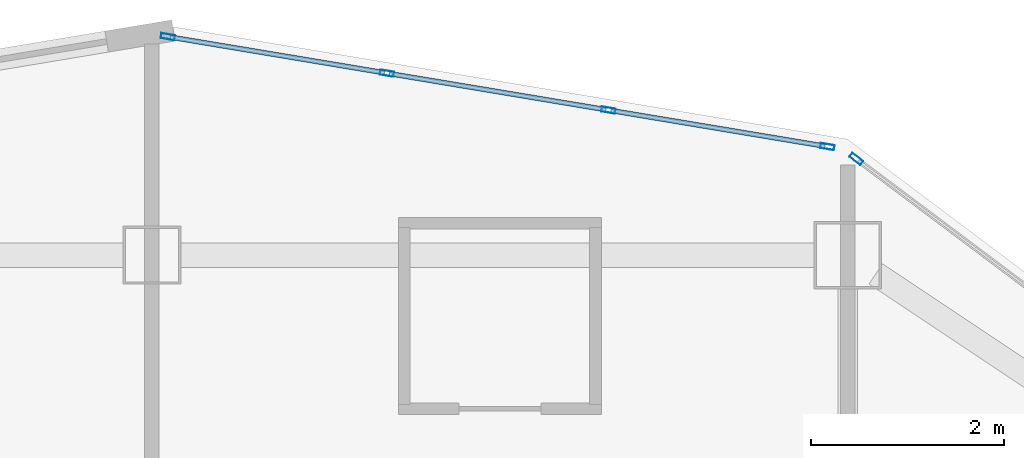
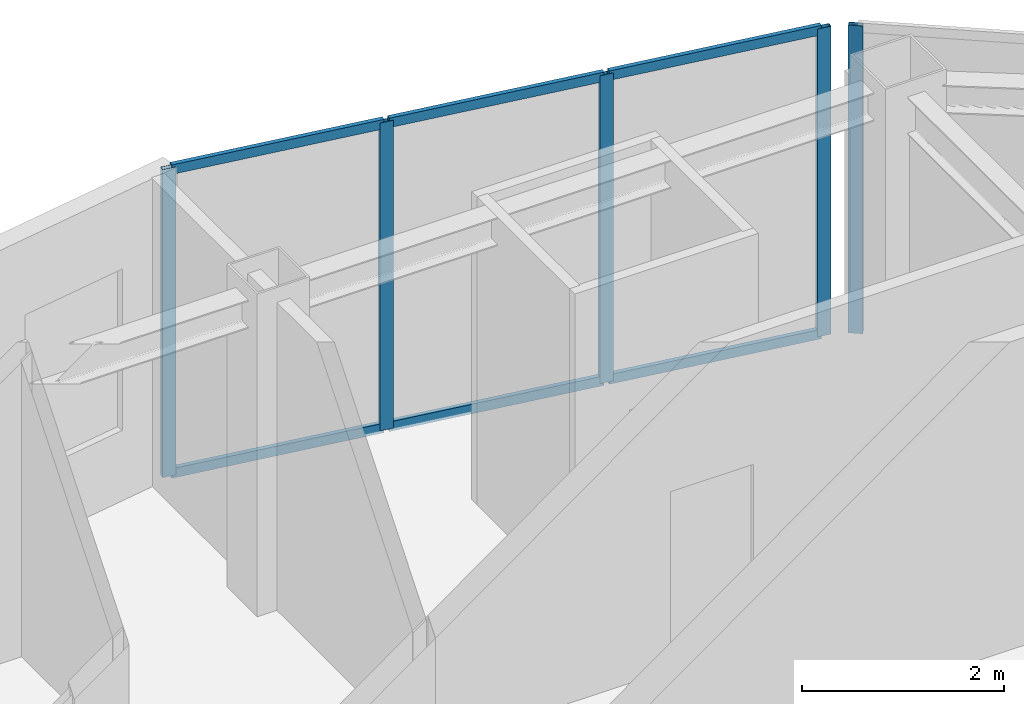
# One storey, part 3 of 8: 11 members, 2 elements without a shape of their own.
"""IFC4 building model written with IfcOpenShell, lengths in metres."""

import ifcopenshell
import ifcopenshell.guid

model = None  # the IFC model being written
_history = None  # IfcOwnerHistory: only IFC2X3 demands one
_inside = {}  # id of a spatial element -> (the spatial element, [elements in it])
_under = {}  # id of a project, library or spatial element -> (it, [spatial elements below it])
_declared = {}  # id of a project -> (the project, [libraries it declares])
_typed = {}  # id of a type object -> (the type object, [elements of that type])
_made_of = {}  # id of a material, layer set ... -> (it, [elements and type objects made of it])


def new_model(schema):
    """Start an empty IFC model of exactly this schema.

    Asked for "IFC4X3", IfcOpenShell would pick the latest addendum, in which some entities
    have other attributes; the version numbers below select the first issue.
    IFC2X3 requires an IfcOwnerHistory on every rooted entity: one is made here for all.
    """
    global model, _history
    if schema == "IFC4X3":
        model = ifcopenshell.file(schema_version=(4, 3, 0, 0))
    else:
        model = ifcopenshell.file(schema=schema)
    _inside.clear()
    _under.clear()
    _declared.clear()
    _typed.clear()
    _made_of.clear()
    _history = None
    if model.schema == "IFC2X3":
        org = make("IfcOrganization", Name="unknown")
        user = make(
            "IfcPersonAndOrganization",
            ThePerson=make("IfcPerson", FamilyName="unknown"),
            TheOrganization=org,
        )
        app = make(
            "IfcApplication",
            ApplicationDeveloper=org,
            Version="unknown",
            ApplicationFullName="unknown",
            ApplicationIdentifier="unknown",
        )
        _history = make(
            "IfcOwnerHistory",
            OwningUser=user,
            OwningApplication=app,
            ChangeAction="ADDED",
            CreationDate=0,
        )
    return model


def make(cls, **values):
    """One entity of the class cls with the attributes given. An attribute that is None is left unset."""
    return model.create_entity(
        cls, **{name: value for name, value in values.items() if value is not None}
    )


def rooted(cls, **values):
    """An entity with a GlobalId (a new one), such as an element, a storey or a relation."""
    return make(cls, GlobalId=ifcopenshell.guid.new(), OwnerHistory=_history, **values)


def si_unit(unit_type, name, prefix=None):
    """IfcSIUnit, for example si_unit("LENGTHUNIT", "METRE", prefix="MILLI")."""
    return make("IfcSIUnit", UnitType=unit_type, Prefix=prefix, Name=name)


def assignment(units):
    """IfcUnitAssignment: the units of a project."""
    return None if units is None else make("IfcUnitAssignment", Units=units)


def point(xyz):
    """IfcCartesianPoint."""
    return None if xyz is None else make("IfcCartesianPoint", Coordinates=xyz)


def direction(xyz):
    """IfcDirection."""
    return None if xyz is None else make("IfcDirection", DirectionRatios=xyz)


def frame(location, z_axis=None, x_axis=None):
    """IfcAxis2Placement3D, a coordinate frame: its origin and axes. An axis left out is left unset."""
    return make(
        "IfcAxis2Placement3D",
        Location=point(location),
        Axis=direction(z_axis),
        RefDirection=direction(x_axis),
    )


def frame_2d(location, x_axis=None):
    """IfcAxis2Placement2D, a coordinate frame in the plane: its origin and x axis."""
    return make(
        "IfcAxis2Placement2D", Location=point(location), RefDirection=direction(x_axis)
    )


def origin():
    """The frame at (0, 0, 0) with its axes left unset."""
    return frame((0.0, 0.0, 0.0))


def origin_2d():
    """The frame at (0, 0) in the plane with its x axis left unset."""
    return frame_2d((0.0, 0.0))


def place(relative_to, where):
    """IfcLocalPlacement: puts the frame where relative to a parent placement (None: the world)."""
    return make(
        "IfcLocalPlacement", PlacementRelTo=relative_to, RelativePlacement=where
    )


def context(
    kind, dimensions, precision=None, world=None, true_north=None, identifier=None
):
    """IfcGeometricRepresentationContext, for example the 3D "Model" context."""
    return make(
        "IfcGeometricRepresentationContext",
        ContextIdentifier=identifier,
        ContextType=kind,
        CoordinateSpaceDimension=dimensions,
        Precision=precision,
        WorldCoordinateSystem=world,
        TrueNorth=true_north,
    )


def subcontext(parent, identifier, kind, view, scale=None):
    """IfcGeometricRepresentationSubContext, for example "Body" below "Model"."""
    return make(
        "IfcGeometricRepresentationSubContext",
        ContextIdentifier=identifier,
        ContextType=kind,
        ParentContext=parent,
        TargetScale=scale,
        TargetView=view,
    )


def project(units=None, contexts=None):
    """IfcProject with its units and contexts."""
    return rooted(
        "IfcProject",
        Name="project",
        RepresentationContexts=contexts,
        UnitsInContext=assignment(units),
    )


def spatial(cls, under=None, at=None, **own):
    """A site, building, storey or space (cls), placed at a placement, below another one or the project."""
    s = rooted(cls, ObjectPlacement=at, **own)
    if under is not None:
        _under.setdefault(under.id(), (under, []))[1].append(s)
    return s


def profile(cls, at=None, kind="AREA", **sizes):
    """A parametric profile (cls). Its sizes go by their IFC names, for example OverallWidth=200.0."""
    return make(cls, ProfileType=kind, Position=at, **sizes)


def hollow_rectangle(**sizes):
    """IfcRectangleHollowProfileDef."""
    return profile("IfcRectangleHollowProfileDef", **sizes)


def extrude(swept, where, along, depth):
    """IfcExtrudedAreaSolid: the profile swept, set in the frame where, extruded along a direction by depth."""
    return make(
        "IfcExtrudedAreaSolid",
        SweptArea=swept,
        Position=where,
        ExtrudedDirection=direction(along),
        Depth=depth,
    )


def shape(context_of_items, identifier, shape_type, items):
    """IfcShapeRepresentation: the items that make up one representation, for example the "Body"."""
    return make(
        "IfcShapeRepresentation",
        ContextOfItems=context_of_items,
        RepresentationIdentifier=identifier,
        RepresentationType=shape_type,
        Items=items,
    )


def material(Name=None, Category=None):
    """IfcMaterial."""
    return make("IfcMaterial", Name=Name, Category=Category)


def layer(
    of_material, thickness, ventilated=None, Name=None, Category=None, Priority=None
):
    """IfcMaterialLayer: one layer of a wall or slab, of a material (None: an air gap)."""
    return make(
        "IfcMaterialLayer",
        Material=of_material,
        LayerThickness=thickness,
        IsVentilated=ventilated,
        Name=Name,
        Category=Category,
        Priority=Priority,
    )


def layer_set(layers, Name=None):
    """IfcMaterialLayerSet."""
    return make("IfcMaterialLayerSet", MaterialLayers=layers, LayerSetName=Name)


def material_profile(
    of_material, cross_section, Name=None, Category=None, Priority=None
):
    """IfcMaterialProfile: a cross section and its material."""
    return make(
        "IfcMaterialProfile",
        Name=Name,
        Material=of_material,
        Profile=cross_section,
        Priority=Priority,
        Category=Category,
    )


def profile_set(profiles, Name=None, composite=None):
    """IfcMaterialProfileSet."""
    return make(
        "IfcMaterialProfileSet",
        Name=Name,
        MaterialProfiles=profiles,
        CompositeProfile=composite,
    )


def made_of(thing, what):
    """Note that an element or type object is made of a material, layer set ...; save() writes the relation."""
    if what is not None:
        _made_of.setdefault(what.id(), (what, []))[1].append(thing)
    return thing


def type_object(cls, material=None, **own):
    """A type object (cls), such as IfcWallType, which elements share."""
    return made_of(rooted(cls, **own), material)


def element(
    cls,
    number,
    at=None,
    inside=None,
    cuts=None,
    type_object=None,
    material=None,
    context=None,
    identifier="Body",
    shape_type=None,
    held_by="IfcProductDefinitionShape",
    body=None,
    shapes=None,
    **own,
):
    """One element of the class cls, such as IfcWall. Its Tag is "e" and its number.

    at: its placement. inside: the storey or other place that contains it. cuts: it is an
    opening in that element (IfcRelVoidsElement). A single representation is given by context,
    identifier, shape_type and body (its items); several are given by shapes. held_by: the class
    of the entity that holds the representations. save() writes the other relations.
    """
    e = rooted(cls, Tag="e%d" % number, ObjectPlacement=at, **own)
    if body is not None:
        shapes = [shape(context, identifier, shape_type, body)]
    if shapes is not None:
        e.Representation = make(held_by, Representations=shapes)
    if inside is not None:
        _inside.setdefault(inside.id(), (inside, []))[1].append(e)
    if cuts is not None:
        rooted(
            "IfcRelVoidsElement", RelatingBuildingElement=cuts, RelatedOpeningElement=e
        )
    if type_object is not None:
        _typed.setdefault(type_object.id(), (type_object, []))[1].append(e)
    return made_of(e, material)


def aggregate(whole, parts):
    """IfcRelAggregates: a whole, such as a stair, and the parts it consists of."""
    return rooted("IfcRelAggregates", RelatingObject=whole, RelatedObjects=parts)


def save(model, path):
    """Write the relations noted so far, then the file.

    IfcRelAggregates (storeys below a building ...), IfcRelContainedInSpatialStructure (elements
    in a storey), IfcRelDefinesByType, IfcRelAssociatesMaterial and IfcRelDeclares: one each for
    every whole, place, type object, material and project.
    """
    for whole, parts in _under.values():
        aggregate(whole, parts)
    for where, things in _inside.values():
        rooted(
            "IfcRelContainedInSpatialStructure",
            RelatedElements=things,
            RelatingStructure=where,
        )
    for kind, things in _typed.values():
        rooted("IfcRelDefinesByType", RelatedObjects=things, RelatingType=kind)
    for what, things in _made_of.values():
        rooted("IfcRelAssociatesMaterial", RelatedObjects=things, RelatingMaterial=what)
    for by, libraries in _declared.values():
        rooted("IfcRelDeclares", RelatingContext=by, RelatedDefinitions=libraries)
    model.write(path)


model = new_model("IFC4")

# Units and contexts
model_context = context("Model", 3, precision=1e-05, world=origin(), true_north=direction((0.0, 1.0)))
body_context = subcontext(model_context, "Body", "Model", "MODEL_VIEW")
ifc_project = project(units=[si_unit("LENGTHUNIT", "METRE"), si_unit("AREAUNIT", "SQUARE_METRE"), si_unit("VOLUMEUNIT", "CUBIC_METRE"), si_unit("PLANEANGLEUNIT", "RADIAN"), si_unit("MASSUNIT", "GRAM", prefix="KILO")], contexts=[model_context])

# Site, building, storey
site_placement = place(None, origin())
site = spatial("IfcSite", under=ifc_project, at=site_placement, CompositionType="ELEMENT")
building_placement = place(site_placement, origin())
building = spatial("IfcBuilding", under=site, at=building_placement, Name="Haolan Belvedere Tower", CompositionType="ELEMENT")
storey_placement = place(building_placement, frame((0.0, 0.0, 293.89990234375)))
storey = spatial("IfcBuildingStorey", under=building, at=storey_placement, Name="L74", CompositionType="ELEMENT", Elevation=293.89990234375)

# Curtain wall, member
ifc_material_1 = material(Name="Anodised champagne-silver aluminium 6063-T6 and Low-E glass", Category="aluminium")
ifc_layer = layer(ifc_material_1, 0.14501953125, Name="Anodised champagne-silver aluminium 6063-T6 and Low-E glass")
ifc_layer_set = layer_set([ifc_layer], Name="Anodised champagne-silver aluminium 6063-T6 and Low-E glass")
curtain_wall_type = type_object("IfcCurtainWallType", Name="CW-SYS-05", PredefinedType="NOTDEFINED", material=ifc_layer_set)
curtain_wall_1_placement = place(storey_placement, origin())
curtain_wall_1 = element("IfcCurtainWall", 1, at=curtain_wall_1_placement, inside=storey, type_object=curtain_wall_type, Name="L74 CW-SYS-05 ribbon curtain wall 8.1", PredefinedType="NOTDEFINED")
ifc_material_2 = material(Name="Anodised aluminium 6063-T6", Category="aluminium")
ifc_material_profile_1 = material_profile(ifc_material_2, hollow_rectangle(XDim=0.053955078125, YDim=0.14501953125, WallThickness=0.00390625, at=origin_2d()), Name="Anodised aluminium 6063-T6")
ifc_profile_set_1 = profile_set([ifc_material_profile_1], Name="Anodised aluminium 6063-T6")
member_type_1 = type_object("IfcMemberType", Name="CW-SYS-05-MUL", PredefinedType="MULLION", material=ifc_profile_set_1)
member_1_placement = place(storey_placement, frame((45.689208984375, 51.395751953125, 0.0), z_axis=(0.0, 0.0, 1.0), x_axis=(-0.600002837806, -0.799997871638, 0.0)))
member_1 = element("IfcMember", 2, at=member_1_placement, type_object=member_type_1, Name="CW-05 mullion 3", PredefinedType="MULLION", context=body_context, shape_type="SweptSolid", body=[
    extrude(hollow_rectangle(XDim=0.053955078125, YDim=0.14501953125, WallThickness=0.00390625, at=origin_2d()), origin(), (0.0, 0.0, 1.0), 3.72021484375),
])
aggregate(curtain_wall_1, [member_1])

# Curtain wall, members
curtain_wall_2_placement = place(storey_placement, origin())
curtain_wall_2 = element("IfcCurtainWall", 3, at=curtain_wall_2_placement, inside=storey, type_object=curtain_wall_type, Name="L74 CW-SYS-05 ribbon curtain wall 9.1", PredefinedType="NOTDEFINED")
member_2_placement = place(storey_placement, frame((45.390869140625, 51.5234375, 0.0), z_axis=(0.0, 0.0, 1.0), x_axis=(-0.164405962825, -0.98639276122, 0.0)))
member_2 = element("IfcMember", 4, at=member_2_placement, type_object=member_type_1, Name="CW-05 mullion 1", PredefinedType="MULLION", context=body_context, shape_type="SweptSolid", body=[
    extrude(hollow_rectangle(XDim=0.053955078125, YDim=0.14501953125, WallThickness=0.00390625, at=origin_2d()), origin(), (0.0, 0.0, 1.0), 3.72021484375),
])
member_3_placement = place(storey_placement, frame((43.124267578125, 51.901123046875, 0.0), z_axis=(0.0, 0.0, 1.0), x_axis=(-0.164405962825, -0.98639276122, 0.0)))
member_3 = element("IfcMember", 5, at=member_3_placement, type_object=member_type_1, Name="CW-05 mullion 2", PredefinedType="MULLION", context=body_context, shape_type="SweptSolid", body=[
    extrude(hollow_rectangle(XDim=0.053955078125, YDim=0.14501953125, WallThickness=0.00390625, at=origin_2d()), origin(), (0.0, 0.0, 1.0), 3.72021484375),
])
member_4_placement = place(storey_placement, frame((40.831298828125, 52.283203125, 0.0), z_axis=(0.0, 0.0, 1.0), x_axis=(-0.164405962825, -0.98639276122, 0.0)))
member_4 = element("IfcMember", 6, at=member_4_placement, type_object=member_type_1, Name="CW-05 mullion 3", PredefinedType="MULLION", context=body_context, shape_type="SweptSolid", body=[
    extrude(hollow_rectangle(XDim=0.053955078125, YDim=0.14501953125, WallThickness=0.00390625, at=origin_2d()), origin(), (0.0, 0.0, 1.0), 3.72021484375),
])
member_5_placement = place(storey_placement, frame((38.564697265625, 52.6611328125, 0.0), z_axis=(0.0, 0.0, 1.0), x_axis=(-0.164405962825, -0.98639276122, 0.0)))
member_5 = element("IfcMember", 7, at=member_5_placement, type_object=member_type_1, Name="CW-05 mullion 4", PredefinedType="MULLION", context=body_context, shape_type="SweptSolid", body=[
    extrude(hollow_rectangle(XDim=0.053955078125, YDim=0.14501953125, WallThickness=0.00390625, at=origin_2d()), origin(), (0.0, 0.0, 1.0), 3.72021484375),
])
ifc_material_profile_2 = material_profile(ifc_material_2, hollow_rectangle(XDim=0.050048828125, YDim=0.114990234375, WallThickness=0.00390625, at=origin_2d()), Name="Anodised aluminium 6063-T6")
ifc_profile_set_2 = profile_set([ifc_material_profile_2], Name="Anodised aluminium 6063-T6")
member_type_2 = type_object("IfcMemberType", Name="CW-SYS-05-TRN", PredefinedType="USERDEFINED", material=ifc_profile_set_2)
member_6_placement = place(storey_placement, frame((45.364013671875, 51.52783203125, 0.025146484375), z_axis=(-0.986390982779, 0.164416632651, 0.0), x_axis=(-0.164416632651, -0.986390982779, 0.0)))
member_6 = element("IfcMember", 8, at=member_6_placement, type_object=member_type_2, Name="CW-05 transom 1.1", ObjectType="TRANSOM", PredefinedType="USERDEFINED", context=body_context, shape_type="SweptSolid", body=[
    extrude(hollow_rectangle(XDim=0.050048828125, YDim=0.114990234375, WallThickness=0.00390625, at=origin_2d()), origin(), (0.0, 0.0, 1.0), 2.24365234375),
])
member_7_placement = place(storey_placement, frame((45.364013671875, 51.52783203125, 3.695068359375), z_axis=(-0.986390982779, 0.164416632651, 0.0), x_axis=(-0.164416632651, -0.986390982779, 0.0)))
member_7 = element("IfcMember", 9, at=member_7_placement, type_object=member_type_2, Name="CW-05 transom 1.2", ObjectType="TRANSOM", PredefinedType="USERDEFINED", context=body_context, shape_type="SweptSolid", body=[
    extrude(hollow_rectangle(XDim=0.050048828125, YDim=0.114990234375, WallThickness=0.00390625, at=origin_2d()), origin(), (0.0, 0.0, 1.0), 2.24365234375),
])
member_8_placement = place(storey_placement, frame((43.09765625, 51.905517578125, 0.025146484375), z_axis=(-0.986393923832, 0.164398987305, 0.0), x_axis=(-0.164398987305, -0.986393923832, 0.0)))
member_8 = element("IfcMember", 10, at=member_8_placement, type_object=member_type_2, Name="CW-05 transom 2.1", ObjectType="TRANSOM", PredefinedType="USERDEFINED", context=body_context, shape_type="SweptSolid", body=[
    extrude(hollow_rectangle(XDim=0.050048828125, YDim=0.114990234375, WallThickness=0.00390625, at=origin_2d()), origin(), (0.0, 0.0, 1.0), 2.270751953125),
])
member_9_placement = place(storey_placement, frame((43.09765625, 51.905517578125, 3.695068359375), z_axis=(-0.986393923832, 0.164398987305, 0.0), x_axis=(-0.164398987305, -0.986393923832, 0.0)))
member_9 = element("IfcMember", 11, at=member_9_placement, type_object=member_type_2, Name="CW-05 transom 2.2", ObjectType="TRANSOM", PredefinedType="USERDEFINED", context=body_context, shape_type="SweptSolid", body=[
    extrude(hollow_rectangle(XDim=0.050048828125, YDim=0.114990234375, WallThickness=0.00390625, at=origin_2d()), origin(), (0.0, 0.0, 1.0), 2.270751953125),
])
member_10_placement = place(storey_placement, frame((40.8046875, 52.287841796875, 0.025146484375), z_axis=(-0.986393923832, 0.164398987305, 0.0), x_axis=(-0.164398987305, -0.986393923832, 0.0)))
member_10 = element("IfcMember", 12, at=member_10_placement, type_object=member_type_2, Name="CW-05 transom 3.1", ObjectType="TRANSOM", PredefinedType="USERDEFINED", context=body_context, shape_type="SweptSolid", body=[
    extrude(hollow_rectangle(XDim=0.050048828125, YDim=0.114990234375, WallThickness=0.00390625, at=origin_2d()), origin(), (0.0, 0.0, 1.0), 2.243896484375),
])
member_11_placement = place(storey_placement, frame((40.8046875, 52.287841796875, 3.695068359375), z_axis=(-0.986393923832, 0.164398987305, 0.0), x_axis=(-0.164398987305, -0.986393923832, 0.0)))
member_11 = element("IfcMember", 13, at=member_11_placement, type_object=member_type_2, Name="CW-05 transom 3.2", ObjectType="TRANSOM", PredefinedType="USERDEFINED", context=body_context, shape_type="SweptSolid", body=[
    extrude(hollow_rectangle(XDim=0.050048828125, YDim=0.114990234375, WallThickness=0.00390625, at=origin_2d()), origin(), (0.0, 0.0, 1.0), 2.243896484375),
])
aggregate(curtain_wall_2, [member_2, member_3, member_4, member_5, member_6, member_7, member_8, member_9, member_10, member_11])

save(model, "model.ifc")
